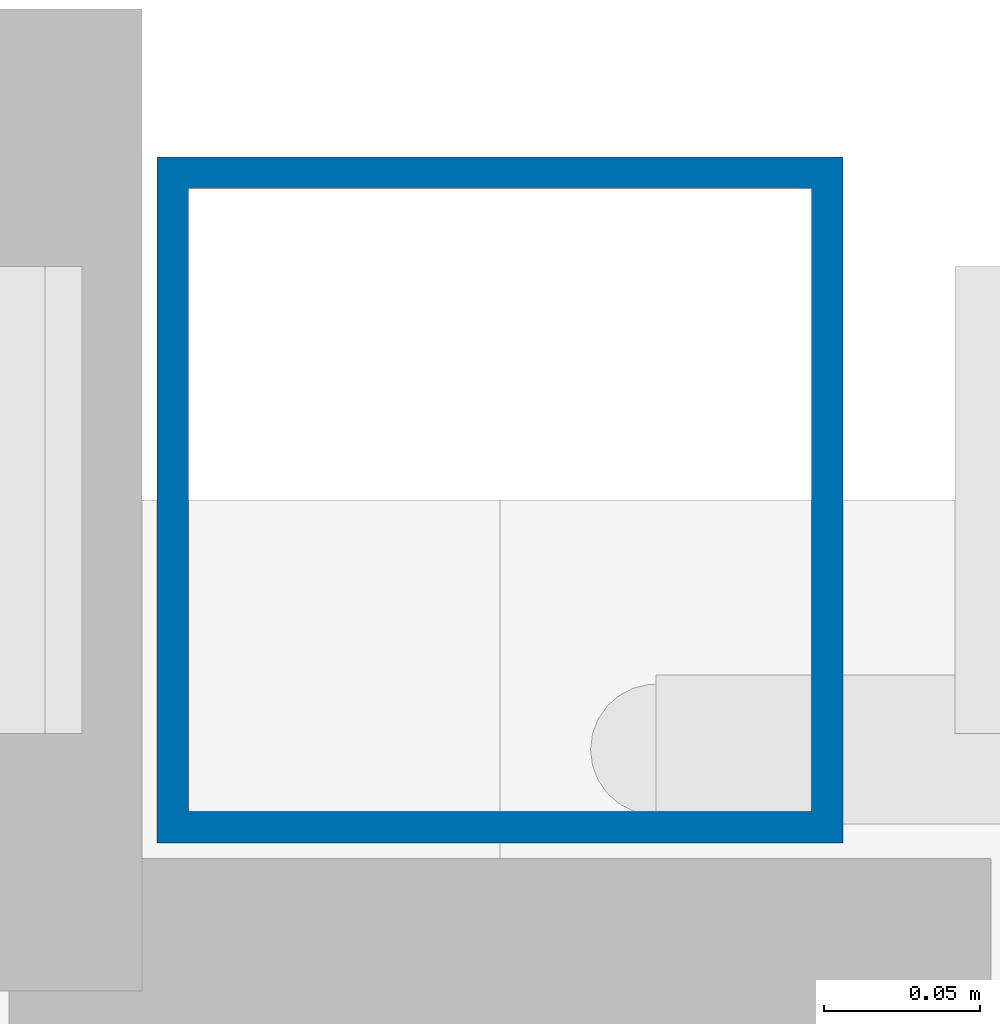
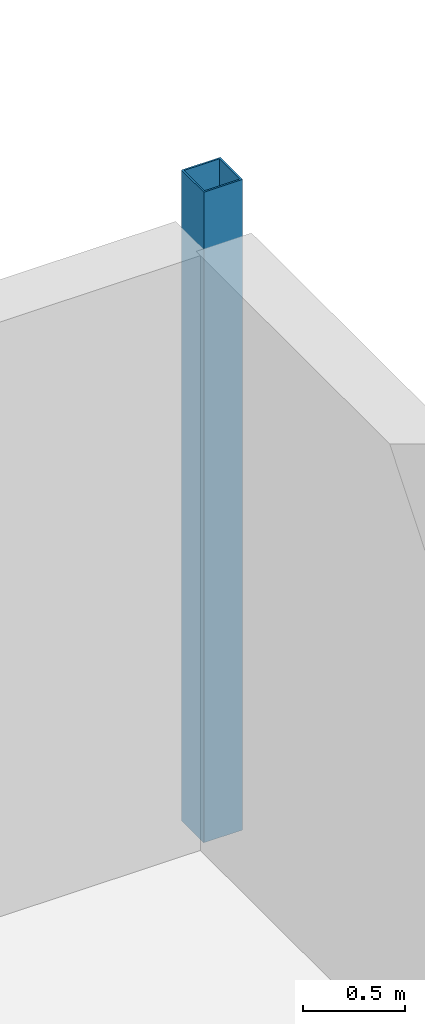
# One storey, part 10 of 55: 1 column.
"""IFC4 building model written with IfcOpenShell, lengths in metres."""

from ifc_helpers import new_model, si_unit, direction, frame, origin, origin_2d, place, context, subcontext, project, spatial, hollow_rectangle, extrude, material, material_profile, profile_set, type_object, element, save


model = new_model("IFC4")

# Units and contexts
model_context = context("Model", 3, precision=1e-05, world=origin(), true_north=direction((0.0, 1.0)))
body_context = subcontext(model_context, "Body", "Model", "MODEL_VIEW")
ifc_project = project(units=[si_unit("LENGTHUNIT", "METRE"), si_unit("AREAUNIT", "SQUARE_METRE"), si_unit("VOLUMEUNIT", "CUBIC_METRE"), si_unit("PLANEANGLEUNIT", "RADIAN"), si_unit("MASSUNIT", "GRAM", prefix="KILO")], contexts=[model_context])

# Site, building, storey
site_placement = place(None, origin())
site = spatial("IfcSite", under=ifc_project, at=site_placement, CompositionType="ELEMENT")
building_placement = place(site_placement, origin())
building = spatial("IfcBuilding", under=site, at=building_placement, Name="Kisiwana Market Hall", CompositionType="ELEMENT")
storey_placement = place(building_placement, frame((0.0, 0.0, 37.800048828125)))
storey = spatial("IfcBuildingStorey", under=building, at=storey_placement, Name="L08", CompositionType="ELEMENT", Elevation=37.800048828125)

# Column
ifc_material = material(Name="Steel S355", Category="steel")
ifc_material_profile = material_profile(ifc_material, hollow_rectangle(XDim=0.219970703125, YDim=0.219970703125, WallThickness=0.010009765625, at=origin_2d()), Name="SHS 220x220x10")
ifc_profile_set = profile_set([ifc_material_profile], Name="Steel S355")
column_type = type_object("IfcColumnType", Name="COL-STL-SHS220", PredefinedType="COLUMN", material=ifc_profile_set)
column_placement = place(storey_placement, frame((36.0, 111.0, 0.0), z_axis=(0.0, 0.0, 1.0), x_axis=(1.0, 0.0, 0.0)))
element("IfcColumn", 1, at=column_placement, inside=storey, type_object=column_type, Name="Column P/5 (L08) C-1179", PredefinedType="COLUMN", context=body_context, shape_type="SweptSolid", body=[
    extrude(hollow_rectangle(XDim=0.219970703125, YDim=0.219970703125, WallThickness=0.010009765625, at=origin_2d()), origin(), (0.0, 0.0, 1.0), 3.89990234375),
])

save(model, "model.ifc")
